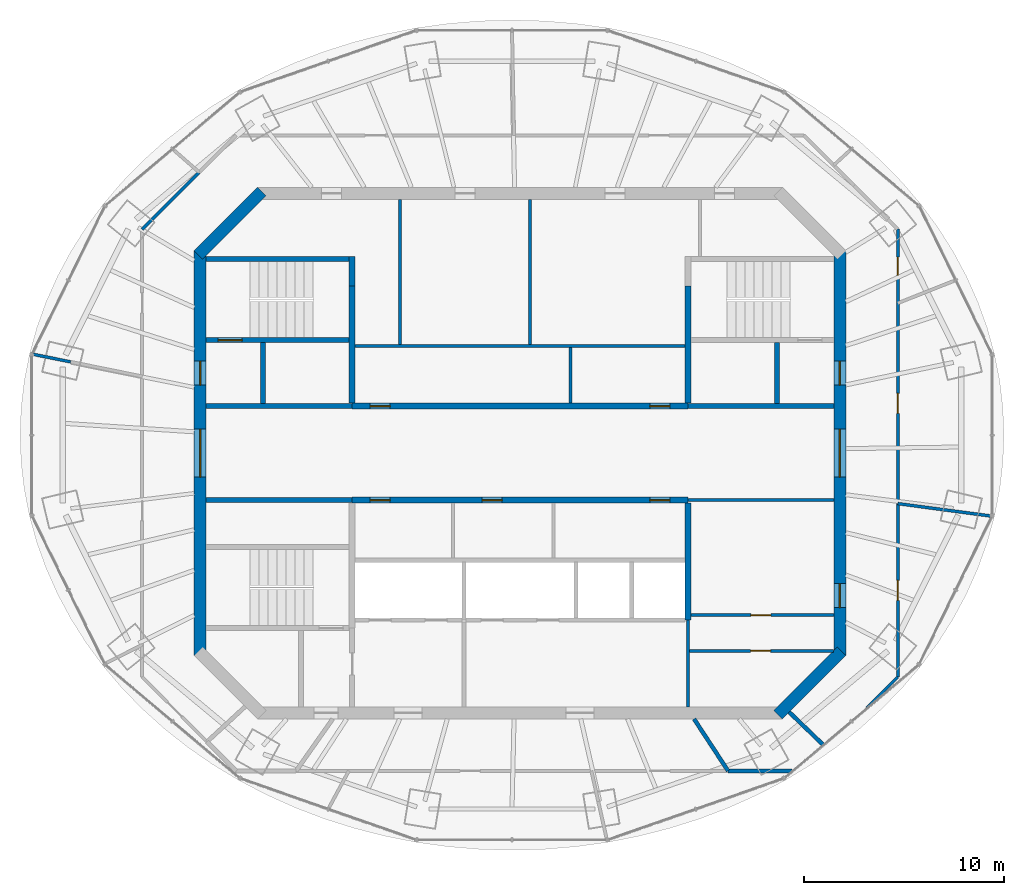
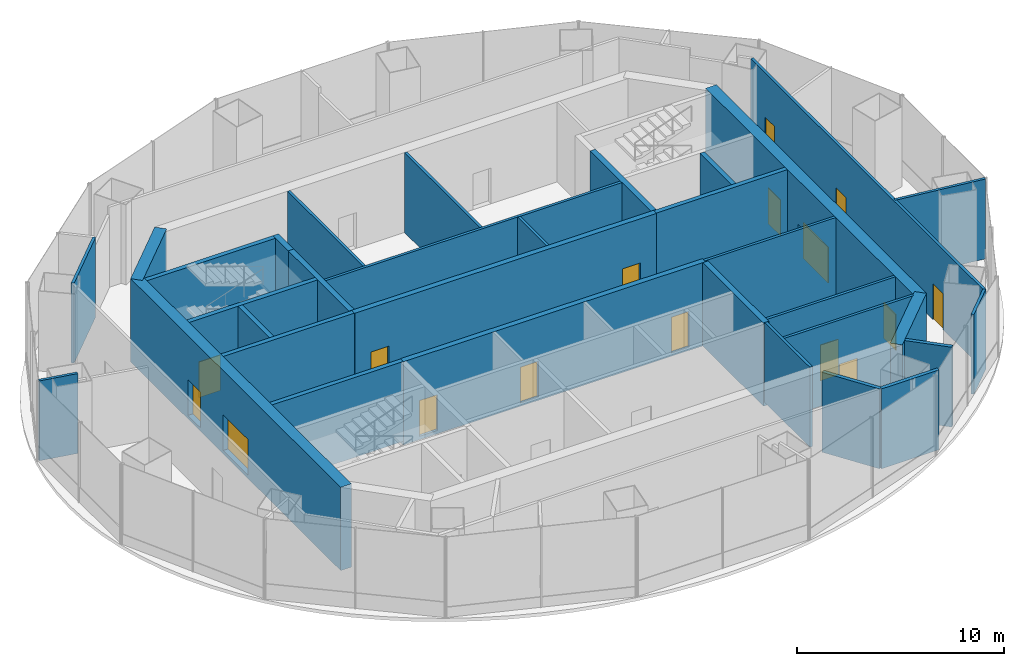
# One storey, part 9 of 11: 33 walls, 16 doors, 16 openings.
"""IFC4 building model written with IfcOpenShell, lengths in metres."""

from ifc_helpers import new_model, si_unit, direction, frame, frame_2d, origin, place, context, subcontext, project, spatial, rectangle, extrude, material, layer, layer_set, type_object, element, fill, save


model = new_model("IFC4")

# Units and contexts
model_context = context("Model", 3, precision=1e-05, world=origin(), true_north=direction((0.0, 1.0)))
body_context = subcontext(model_context, "Body", "Model", "MODEL_VIEW")
ifc_project = project(units=[si_unit("LENGTHUNIT", "METRE"), si_unit("AREAUNIT", "SQUARE_METRE"), si_unit("VOLUMEUNIT", "CUBIC_METRE"), si_unit("PLANEANGLEUNIT", "RADIAN"), si_unit("MASSUNIT", "GRAM", prefix="KILO")], contexts=[model_context])

# Site, building, storey
site_placement = place(None, origin())
site = spatial("IfcSite", under=ifc_project, at=site_placement, CompositionType="ELEMENT")
building_placement = place(site_placement, origin())
building = spatial("IfcBuilding", under=site, at=building_placement, Name="Marenthal Gate Tower", CompositionType="ELEMENT")
storey_placement = place(building_placement, frame((0.0, 0.0, 418.550048828125)))
storey = spatial("IfcBuildingStorey", under=building, at=storey_placement, Name="L94", CompositionType="ELEMENT", Elevation=418.550048828125)

# Wall
ifc_material_1 = material(Name="Concrete 60 MPa", Category="concrete")
ifc_layer_1 = layer(ifc_material_1, 0.60009765625)
ifc_layer_set_1 = layer_set([ifc_layer_1], Name="Core shear wall 600")
wall_type_1 = type_object("IfcWallType", Name="Core shear wall 600", PredefinedType="SHEAR", material=ifc_layer_set_1)
wall_1_placement = place(storey_placement, frame((12.912109375, -13.087890625, -0.199951171875), z_axis=(0.0, 0.0, 1.0), x_axis=(0.707106781187, 0.707106781187, 0.0)))
element("IfcWall", 1, at=wall_1_placement, inside=storey, type_object=wall_type_1, Name="Core wall 01", PredefinedType="SHEAR", context=body_context, shape_type="SweptSolid", body=[
    extrude(rectangle(XDim=4.4912109375, YDim=0.60009765625, at=frame_2d((2.24560546875, 0.0))), origin(), (0.0, 0.0, 1.0), 4.89990234375),
])

# Wall, openings, doors
wall_2_placement = place(storey_placement, frame((16.0, -10.124267578125, -0.199951171875), z_axis=(0.0, 0.0, 1.0), x_axis=(0.0, 1.0, 0.0)))
wall_2 = element("IfcWall", 2, at=wall_2_placement, inside=storey, type_object=wall_type_1, Name="Core wall 02", PredefinedType="SHEAR", context=body_context, shape_type="SweptSolid", body=[
    extrude(rectangle(XDim=20.24853515625, YDim=0.60009765625, at=frame_2d((10.124267578125, 0.0))), origin(), (0.0, 0.0, 1.0), 4.89990234375),
])
opening_1_placement = place(wall_2_placement, frame((8.92431640625, 0.0, 0.199951171875)))
opening_1 = element("IfcOpeningElement", 3, at=opening_1_placement, cuts=wall_2, Name="Opening D003.02", PredefinedType="OPENING", context=body_context, shape_type="SweptSolid", body=[
    extrude(rectangle(XDim=2.39990234375, YDim=2.10009765625, at=frame_2d((1.199951171875, 1.050048828125))), frame((0.0, 0.31005859375, 0.0), z_axis=(0.0, -1.0, 0.0), x_axis=(1.0, 0.0, 0.0)), (0.0, 0.0, 1.0), 0.6201171875),
])
opening_2_placement = place(wall_2_placement, frame((13.5244140625, 0.0, 0.199951171875)))
opening_2 = element("IfcOpeningElement", 4, at=opening_2_placement, cuts=wall_2, Name="Opening D001.05", PredefinedType="OPENING", context=body_context, shape_type="SweptSolid", body=[
    extrude(rectangle(XDim=1.199951171875, YDim=2.10009765625, at=frame_2d((0.60009765625, 1.050048828125))), frame((0.0, 0.31005859375, 0.0), z_axis=(0.0, -1.0, 0.0), x_axis=(1.0, 0.0, 0.0)), (0.0, 0.0, 1.0), 0.6201171875),
])
opening_3_placement = place(wall_2_placement, frame((2.39990234375, 0.0, 0.199951171875)))
opening_3 = element("IfcOpeningElement", 5, at=opening_3_placement, cuts=wall_2, Name="Opening D006.01", PredefinedType="OPENING", context=body_context, shape_type="SweptSolid", body=[
    extrude(rectangle(XDim=1.199951171875, YDim=2.10009765625, at=frame_2d((0.60009765625, 1.050048828125))), frame((0.0, 0.31005859375, 0.0), z_axis=(0.0, -1.0, 0.0), x_axis=(1.0, 0.0, 0.0)), (0.0, 0.0, 1.0), 0.6201171875),
])
ifc_material_2 = material(Name="Steel fire door", Category="steel")
door_type_1 = type_object("IfcDoorType", Name="Double fire door FD 45 2400 x 2100", OperationType="DOUBLE_DOOR_SINGLE_SWING", PredefinedType="DOOR", material=ifc_material_2)
door_1_placement = place(opening_1_placement, origin())
door_1 = element("IfcDoor", 6, at=door_1_placement, inside=storey, type_object=door_type_1, Name="Door D003.02", OperationType="DOUBLE_DOOR_SINGLE_SWING", OverallHeight=2.10009765625, OverallWidth=2.39990234375, PredefinedType="DOOR", context=body_context, shape_type="SweptSolid", body=[
    extrude(rectangle(XDim=2.39990234375, YDim=2.10009765625, at=frame_2d((1.199951171875, 1.050048828125))), frame((0.0, 0.02490234375, 0.0), z_axis=(0.0, -1.0, 0.0), x_axis=(1.0, 0.0, 0.0)), (0.0, 0.0, 1.0), 0.050048828125),
])
fill(opening_1, door_1)
ifc_material_3 = material(Name="Steel fire door", Category="steel")
door_type_2 = type_object("IfcDoorType", Name="Fire door FD 45 1200 x 2100", OperationType="NOTDEFINED", PredefinedType="DOOR", material=ifc_material_3)
door_2_placement = place(opening_3_placement, origin())
door_2 = element("IfcDoor", 7, at=door_2_placement, inside=storey, type_object=door_type_2, Name="Door D006.01", OperationType="SINGLE_SWING_RIGHT", OverallHeight=2.10009765625, OverallWidth=1.199951171875, PredefinedType="DOOR", context=body_context, shape_type="SweptSolid", body=[
    extrude(rectangle(XDim=1.199951171875, YDim=2.10009765625, at=frame_2d((0.60009765625, 1.050048828125))), frame((0.0, 0.02490234375, 0.0), z_axis=(0.0, -1.0, 0.0), x_axis=(1.0, 0.0, 0.0)), (0.0, 0.0, 1.0), 0.050048828125),
])
fill(opening_3, door_2)
ifc_material_4 = material(Name="Steel fire door", Category="steel")
door_type_3 = type_object("IfcDoorType", Name="Fire door FD 90 1200 x 2100", OperationType="NOTDEFINED", PredefinedType="DOOR", material=ifc_material_4)
door_3_placement = place(opening_2_placement, origin())
door_3 = element("IfcDoor", 8, at=door_3_placement, inside=storey, type_object=door_type_3, Name="Door D001.05", OperationType="SINGLE_SWING_RIGHT", OverallHeight=2.10009765625, OverallWidth=1.199951171875, PredefinedType="DOOR", context=body_context, shape_type="SweptSolid", body=[
    extrude(rectangle(XDim=1.199951171875, YDim=2.10009765625, at=frame_2d((0.60009765625, 1.050048828125))), frame((0.0, 0.02490234375, 0.0), z_axis=(0.0, -1.0, 0.0), x_axis=(1.0, 0.0, 0.0)), (0.0, 0.0, 1.0), 0.050048828125),
])
fill(opening_2, door_3)

# Wall
wall_3_placement = place(storey_placement, frame((-12.912109375, 13.087890625, -0.199951171875), z_axis=(0.0, 0.0, 1.0), x_axis=(-0.707106781187, -0.707106781187, 0.0)))
element("IfcWall", 9, at=wall_3_placement, inside=storey, type_object=wall_type_1, Name="Core wall 05", PredefinedType="SHEAR", context=body_context, shape_type="SweptSolid", body=[
    extrude(rectangle(XDim=4.4912109375, YDim=0.60009765625, at=frame_2d((2.24560546875, 0.0))), origin(), (0.0, 0.0, 1.0), 4.89990234375),
])

# Wall, openings, doors
wall_4_placement = place(storey_placement, frame((-16.0, 10.124267578125, -0.199951171875), z_axis=(0.0, 0.0, 1.0), x_axis=(0.0, -1.0, 0.0)))
wall_4 = element("IfcWall", 10, at=wall_4_placement, inside=storey, type_object=wall_type_1, Name="Core wall 06", PredefinedType="SHEAR", context=body_context, shape_type="SweptSolid", body=[
    extrude(rectangle(XDim=20.24853515625, YDim=0.60009765625, at=frame_2d((10.124267578125, 0.0))), origin(), (0.0, 0.0, 1.0), 4.89990234375),
])
opening_4_placement = place(wall_4_placement, frame((8.92431640625, 0.0, 0.199951171875)))
opening_4 = element("IfcOpeningElement", 11, at=opening_4_placement, cuts=wall_4, Name="Opening D003.01", PredefinedType="OPENING", context=body_context, shape_type="SweptSolid", body=[
    extrude(rectangle(XDim=2.39990234375, YDim=2.10009765625, at=frame_2d((1.199951171875, 1.050048828125))), frame((0.0, 0.31005859375, 0.0), z_axis=(0.0, -1.0, 0.0), x_axis=(1.0, 0.0, 0.0)), (0.0, 0.0, 1.0), 0.6201171875),
])
opening_5_placement = place(wall_4_placement, frame((5.5244140625, 0.0, 0.199951171875)))
opening_5 = element("IfcOpeningElement", 12, at=opening_5_placement, cuts=wall_4, Name="Opening D001.04", PredefinedType="OPENING", context=body_context, shape_type="SweptSolid", body=[
    extrude(rectangle(XDim=1.199951171875, YDim=2.10009765625, at=frame_2d((0.60009765625, 1.050048828125))), frame((0.0, 0.31005859375, 0.0), z_axis=(0.0, -1.0, 0.0), x_axis=(1.0, 0.0, 0.0)), (0.0, 0.0, 1.0), 0.6201171875),
])
door_4_placement = place(opening_4_placement, origin())
door_4 = element("IfcDoor", 13, at=door_4_placement, inside=storey, type_object=door_type_1, Name="Door D003.01", OperationType="DOUBLE_DOOR_SINGLE_SWING", OverallHeight=2.10009765625, OverallWidth=2.39990234375, PredefinedType="DOOR", context=body_context, shape_type="SweptSolid", body=[
    extrude(rectangle(XDim=2.39990234375, YDim=2.10009765625, at=frame_2d((1.199951171875, 1.050048828125))), frame((0.0, 0.02490234375, 0.0), z_axis=(0.0, -1.0, 0.0), x_axis=(1.0, 0.0, 0.0)), (0.0, 0.0, 1.0), 0.050048828125),
])
fill(opening_4, door_4)
door_5_placement = place(opening_5_placement, origin())
door_5 = element("IfcDoor", 14, at=door_5_placement, inside=storey, type_object=door_type_3, Name="Door D001.04", OperationType="SINGLE_SWING_RIGHT", OverallHeight=2.10009765625, OverallWidth=1.199951171875, PredefinedType="DOOR", context=body_context, shape_type="SweptSolid", body=[
    extrude(rectangle(XDim=1.199951171875, YDim=2.10009765625, at=frame_2d((0.60009765625, 1.050048828125))), frame((0.0, 0.02490234375, 0.0), z_axis=(0.0, -1.0, 0.0), x_axis=(1.0, 0.0, 0.0)), (0.0, 0.0, 1.0), 0.050048828125),
])
fill(opening_5, door_5)

ifc_material_5 = material(Name="Concrete 50 MPa", Category="concrete")
ifc_layer_2 = layer(ifc_material_5, 0.300048828125)
ifc_layer_set_2 = layer_set([ifc_layer_2], Name="Hoistway shear wall 300")
wall_type_2 = type_object("IfcWallType", Name="Hoistway shear wall 300", PredefinedType="SHEAR", material=ifc_layer_set_2)
wall_5_placement = place(storey_placement, frame((-8.39990234375, -2.35009765625, -0.199951171875), z_axis=(0.0, 0.0, 1.0), x_axis=(1.0, 0.0, 0.0)))
wall_5 = element("IfcWall", 15, at=wall_5_placement, inside=storey, type_object=wall_type_2, Name="Hoistway wall 17", PredefinedType="SHEAR", context=body_context, shape_type="SweptSolid", body=[
    extrude(rectangle(XDim=16.7998046875, YDim=0.300048828125, at=frame_2d((8.39990234375, 0.0))), origin(), (0.0, 0.0, 1.0), 4.89990234375),
])
opening_6_placement = place(wall_5_placement, frame((0.89990234375, 0.0, 0.199951171875)))
opening_6 = element("IfcOpeningElement", 16, at=opening_6_placement, cuts=wall_5, Name="Opening D005.07", PredefinedType="OPENING", context=body_context, shape_type="SweptSolid", body=[
    extrude(rectangle(XDim=1.0, YDim=2.10009765625, at=frame_2d((0.5, 1.050048828125))), frame((0.0, 0.16015625, 0.0), z_axis=(0.0, -1.0, 0.0), x_axis=(1.0, 0.0, 0.0)), (0.0, 0.0, 1.0), 0.320068359375),
])
opening_7_placement = place(wall_5_placement, frame((6.5, 0.0, 0.199951171875)))
opening_7 = element("IfcOpeningElement", 17, at=opening_7_placement, cuts=wall_5, Name="Opening D005.08", PredefinedType="OPENING", context=body_context, shape_type="SweptSolid", body=[
    extrude(rectangle(XDim=1.0, YDim=2.10009765625, at=frame_2d((0.5, 1.050048828125))), frame((0.0, 0.16015625, 0.0), z_axis=(0.0, -1.0, 0.0), x_axis=(1.0, 0.0, 0.0)), (0.0, 0.0, 1.0), 0.320068359375),
])
opening_8_placement = place(wall_5_placement, frame((14.89990234375, 0.0, 0.199951171875)))
opening_8 = element("IfcOpeningElement", 18, at=opening_8_placement, cuts=wall_5, Name="Opening D005.09", PredefinedType="OPENING", context=body_context, shape_type="SweptSolid", body=[
    extrude(rectangle(XDim=1.0, YDim=2.10009765625, at=frame_2d((0.5, 1.050048828125))), frame((0.0, 0.16015625, 0.0), z_axis=(0.0, -1.0, 0.0), x_axis=(1.0, 0.0, 0.0)), (0.0, 0.0, 1.0), 0.320068359375),
])
ifc_material_6 = material(Name="Steel fire door", Category="steel")
door_type_4 = type_object("IfcDoorType", Name="Fire door FD 45 1000 x 2100", OperationType="NOTDEFINED", PredefinedType="DOOR", material=ifc_material_6)
door_6_placement = place(opening_6_placement, frame((1.0, 0.0, 0.0), z_axis=(0.0, 0.0, 1.0), x_axis=(-1.0, 0.0, 0.0)))
door_6 = element("IfcDoor", 19, at=door_6_placement, inside=storey, type_object=door_type_4, Name="Door D005.07", OperationType="SINGLE_SWING_LEFT", OverallHeight=2.10009765625, OverallWidth=1.0, PredefinedType="DOOR", context=body_context, shape_type="SweptSolid", body=[
    extrude(rectangle(XDim=1.0, YDim=2.10009765625, at=frame_2d((0.5, 1.050048828125))), frame((0.0, 0.02490234375, 0.0), z_axis=(0.0, -1.0, 0.0), x_axis=(1.0, 0.0, 0.0)), (0.0, 0.0, 1.0), 0.050048828125),
])
fill(opening_6, door_6)
door_7_placement = place(opening_7_placement, frame((1.0, 0.0, 0.0), z_axis=(0.0, 0.0, 1.0), x_axis=(-1.0, 0.0, 0.0)))
door_7 = element("IfcDoor", 20, at=door_7_placement, inside=storey, type_object=door_type_4, Name="Door D005.08", OperationType="SINGLE_SWING_LEFT", OverallHeight=2.10009765625, OverallWidth=1.0, PredefinedType="DOOR", context=body_context, shape_type="SweptSolid", body=[
    extrude(rectangle(XDim=1.0, YDim=2.10009765625, at=frame_2d((0.5, 1.050048828125))), frame((0.0, 0.02490234375, 0.0), z_axis=(0.0, -1.0, 0.0), x_axis=(1.0, 0.0, 0.0)), (0.0, 0.0, 1.0), 0.050048828125),
])
fill(opening_7, door_7)
door_8_placement = place(opening_8_placement, frame((1.0, 0.0, 0.0), z_axis=(0.0, 0.0, 1.0), x_axis=(-1.0, 0.0, 0.0)))
door_8 = element("IfcDoor", 21, at=door_8_placement, inside=storey, type_object=door_type_4, Name="Door D005.09", OperationType="SINGLE_SWING_LEFT", OverallHeight=2.10009765625, OverallWidth=1.0, PredefinedType="DOOR", context=body_context, shape_type="SweptSolid", body=[
    extrude(rectangle(XDim=1.0, YDim=2.10009765625, at=frame_2d((0.5, 1.050048828125))), frame((0.0, 0.02490234375, 0.0), z_axis=(0.0, -1.0, 0.0), x_axis=(1.0, 0.0, 0.0)), (0.0, 0.0, 1.0), 0.050048828125),
])
fill(opening_8, door_8)

wall_6_placement = place(storey_placement, frame((-8.39990234375, 2.35009765625, -0.199951171875), z_axis=(0.0, 0.0, 1.0), x_axis=(1.0, 0.0, 0.0)))
wall_6 = element("IfcWall", 22, at=wall_6_placement, inside=storey, type_object=wall_type_2, Name="Hoistway wall 20", PredefinedType="SHEAR", context=body_context, shape_type="SweptSolid", body=[
    extrude(rectangle(XDim=16.7998046875, YDim=0.300048828125, at=frame_2d((8.39990234375, 0.0))), origin(), (0.0, 0.0, 1.0), 4.89990234375),
])
opening_9_placement = place(wall_6_placement, frame((0.89990234375, 0.0, 0.199951171875)))
opening_9 = element("IfcOpeningElement", 23, at=opening_9_placement, cuts=wall_6, Name="Opening D005.01", PredefinedType="OPENING", context=body_context, shape_type="SweptSolid", body=[
    extrude(rectangle(XDim=1.0, YDim=2.10009765625, at=frame_2d((0.5, 1.050048828125))), frame((0.0, 0.16015625, 0.0), z_axis=(0.0, -1.0, 0.0), x_axis=(1.0, 0.0, 0.0)), (0.0, 0.0, 1.0), 0.320068359375),
])
opening_10_placement = place(wall_6_placement, frame((14.89990234375, 0.0, 0.199951171875)))
opening_10 = element("IfcOpeningElement", 24, at=opening_10_placement, cuts=wall_6, Name="Opening D005.02", PredefinedType="OPENING", context=body_context, shape_type="SweptSolid", body=[
    extrude(rectangle(XDim=1.0, YDim=2.10009765625, at=frame_2d((0.5, 1.050048828125))), frame((0.0, 0.16015625, 0.0), z_axis=(0.0, -1.0, 0.0), x_axis=(1.0, 0.0, 0.0)), (0.0, 0.0, 1.0), 0.320068359375),
])
door_9_placement = place(opening_9_placement, origin())
door_9 = element("IfcDoor", 25, at=door_9_placement, inside=storey, type_object=door_type_4, Name="Door D005.01", OperationType="SINGLE_SWING_RIGHT", OverallHeight=2.10009765625, OverallWidth=1.0, PredefinedType="DOOR", context=body_context, shape_type="SweptSolid", body=[
    extrude(rectangle(XDim=1.0, YDim=2.10009765625, at=frame_2d((0.5, 1.050048828125))), frame((0.0, 0.02490234375, 0.0), z_axis=(0.0, -1.0, 0.0), x_axis=(1.0, 0.0, 0.0)), (0.0, 0.0, 1.0), 0.050048828125),
])
fill(opening_9, door_9)
door_10_placement = place(opening_10_placement, origin())
door_10 = element("IfcDoor", 26, at=door_10_placement, inside=storey, type_object=door_type_4, Name="Door D005.02", OperationType="SINGLE_SWING_RIGHT", OverallHeight=2.10009765625, OverallWidth=1.0, PredefinedType="DOOR", context=body_context, shape_type="SweptSolid", body=[
    extrude(rectangle(XDim=1.0, YDim=2.10009765625, at=frame_2d((0.5, 1.050048828125))), frame((0.0, 0.02490234375, 0.0), z_axis=(0.0, -1.0, 0.0), x_axis=(1.0, 0.0, 0.0)), (0.0, 0.0, 1.0), 0.050048828125),
])
fill(opening_10, door_10)

# Walls
for number, where, z_axis, x_axis, name in (
    (27, (-8.39990234375, 2.5, -0.199951171875), (0.0, 0.0, 1.0), (0.0, 1.0, 0.0), "Hoistway wall 31"),
    (28, (8.39990234375, -8.35009765625, -0.199951171875), (0.0, 0.0, 1.0), (0.0, 1.0, 0.0), "Hoistway wall 43"),
    (29, (8.39990234375, 2.5, -0.199951171875), (0.0, 0.0, 1.0), (0.0, 1.0, 0.0), "Hoistway wall 44"),
):
    element("IfcWall", number, at=place(storey_placement, frame(where, z_axis=z_axis, x_axis=x_axis)), inside=storey, type_object=wall_type_2, Name=name, PredefinedType="SHEAR", context=body_context, shape_type="SweptSolid", body=[
        extrude(rectangle(XDim=5.85009765625, YDim=0.300048828125, at=frame_2d((2.925048828125, 0.0))), origin(), (0.0, 0.0, 1.0), 4.89990234375),
    ])

# Wall, opening, door
ifc_material_7 = material(Name="Gypsum board on steel studs", Category="steel")
ifc_layer_3 = layer(ifc_material_7, 0.14990234375)
ifc_layer_set_3 = layer_set([ifc_layer_3], Name="Partition 150")
wall_type_3 = type_object("IfcWallType", Name="Partition 150", PredefinedType="PARTITIONING", material=ifc_layer_set_3)
wall_7_placement = place(storey_placement, frame((8.47509765625, -9.89990234375, 0.0), z_axis=(0.0, 0.0, 1.0), x_axis=(1.0, 0.0, 0.0)))
wall_7 = element("IfcWall", 30, at=wall_7_placement, inside=storey, type_object=wall_type_3, Name="Partition wall 09", PredefinedType="PARTITIONING", context=body_context, shape_type="SweptSolid", body=[
    extrude(rectangle(XDim=7.20068359375, YDim=0.14990234375, at=frame_2d((3.600341796875, 0.0))), origin(), (0.0, 0.0, 1.0), 4.699951171875),
])
opening_11_placement = place(wall_7_placement, frame((3.062744140625, 0.0, 0.0)))
opening_11 = element("IfcOpeningElement", 31, at=opening_11_placement, cuts=wall_7, Name="Opening D005.11", PredefinedType="OPENING", context=body_context, shape_type="SweptSolid", body=[
    extrude(rectangle(XDim=1.0, YDim=2.10009765625, at=frame_2d((0.5, 1.050048828125))), frame((0.0, 0.0849609375, 0.0), z_axis=(0.0, -1.0, 0.0), x_axis=(1.0, 0.0, 0.0)), (0.0, 0.0, 1.0), 0.169921875),
])
door_11_placement = place(opening_11_placement, frame((1.0, 0.0, 0.0), z_axis=(0.0, 0.0, 1.0), x_axis=(-1.0, 0.0, 0.0)))
door_11 = element("IfcDoor", 32, at=door_11_placement, inside=storey, type_object=door_type_4, Name="Door D005.11", OperationType="SINGLE_SWING_LEFT", OverallHeight=2.10009765625, OverallWidth=1.0, PredefinedType="DOOR", context=body_context, shape_type="SweptSolid", body=[
    extrude(rectangle(XDim=1.0, YDim=2.10009765625, at=frame_2d((0.5, 1.050048828125))), frame((0.0, 0.02490234375, 0.0), z_axis=(0.0, -1.0, 0.0), x_axis=(1.0, 0.0, 0.0)), (0.0, 0.0, 1.0), 0.050048828125),
])
fill(opening_11, door_11)

wall_8_placement = place(storey_placement, frame((8.550048828125, -8.10009765625, 0.0), z_axis=(0.0, 0.0, 1.0), x_axis=(1.0, 0.0, 0.0)))
wall_8 = element("IfcWall", 33, at=wall_8_placement, inside=storey, type_object=wall_type_3, Name="Partition wall 13", PredefinedType="PARTITIONING", context=body_context, shape_type="SweptSolid", body=[
    extrude(rectangle(XDim=7.14990234375, YDim=0.14990234375, at=frame_2d((3.574951171875, 0.0))), origin(), (0.0, 0.0, 1.0), 4.699951171875),
])
opening_12_placement = place(wall_8_placement, frame((3.0, 0.0, 0.0)))
opening_12 = element("IfcOpeningElement", 34, at=opening_12_placement, cuts=wall_8, Name="Opening D005.10", PredefinedType="OPENING", context=body_context, shape_type="SweptSolid", body=[
    extrude(rectangle(XDim=1.0, YDim=2.10009765625, at=frame_2d((0.5, 1.050048828125))), frame((0.0, 0.0849609375, 0.0), z_axis=(0.0, -1.0, 0.0), x_axis=(1.0, 0.0, 0.0)), (0.0, 0.0, 1.0), 0.169921875),
])
door_12_placement = place(opening_12_placement, origin())
door_12 = element("IfcDoor", 35, at=door_12_placement, inside=storey, type_object=door_type_4, Name="Door D005.10", OperationType="SINGLE_SWING_RIGHT", OverallHeight=2.10009765625, OverallWidth=1.0, PredefinedType="DOOR", context=body_context, shape_type="SweptSolid", body=[
    extrude(rectangle(XDim=1.0, YDim=2.10009765625, at=frame_2d((0.5, 1.050048828125))), frame((0.0, 0.02490234375, 0.0), z_axis=(0.0, -1.0, 0.0), x_axis=(1.0, 0.0, 0.0)), (0.0, 0.0, 1.0), 0.050048828125),
])
fill(opening_12, door_12)

# Walls
wall_9_placement = place(storey_placement, frame((8.39990234375, -2.35009765625, 0.0), z_axis=(0.0, 0.0, 1.0), x_axis=(1.0, 0.0, 0.0)))
element("IfcWall", 36, at=wall_9_placement, inside=storey, type_object=wall_type_3, Name="Partition wall 18", PredefinedType="PARTITIONING", context=body_context, shape_type="SweptSolid", body=[
    extrude(rectangle(XDim=7.300048828125, YDim=0.14990234375, at=frame_2d((3.64990234375, 0.0))), origin(), (0.0, 0.0, 1.0), 4.699951171875),
])
wall_10_placement = place(storey_placement, frame((-8.25, 5.35009765625, 0.0), z_axis=(0.0, 0.0, 1.0), x_axis=(1.0, 0.0, 0.0)))
element("IfcWall", 37, at=wall_10_placement, inside=storey, type_object=wall_type_3, Name="Partition wall 22", PredefinedType="PARTITIONING", context=body_context, shape_type="SweptSolid", body=[
    extrude(rectangle(XDim=16.5, YDim=0.14990234375, at=frame_2d((8.25, 0.0))), origin(), (0.0, 0.0, 1.0), 4.699951171875),
])
for number, where, z_axis, x_axis, name in (
    (38, (-6.0, 5.425048828125, 0.0), (0.0, 0.0, 1.0), (0.0, 1.0, 0.0), "Partition wall 33"),
    (39, (0.5, 5.425048828125, 0.0), (0.0, 0.0, 1.0), (0.0, 1.0, 0.0), "Partition wall 37"),
):
    element("IfcWall", number, at=place(storey_placement, frame(where, z_axis=z_axis, x_axis=x_axis)), inside=storey, type_object=wall_type_3, Name=name, PredefinedType="PARTITIONING", context=body_context, shape_type="SweptSolid", body=[
        extrude(rectangle(XDim=7.27490234375, YDim=0.14990234375, at=frame_2d((3.637451171875, 0.0))), origin(), (0.0, 0.0, 1.0), 4.699951171875),
    ])
wall_11_placement = place(storey_placement, frame((2.52001953125, 2.5, 0.0), z_axis=(0.0, 0.0, 1.0), x_axis=(0.0, 1.0, 0.0)))
element("IfcWall", 40, at=wall_11_placement, inside=storey, type_object=wall_type_3, Name="Partition wall 39", PredefinedType="PARTITIONING", context=body_context, shape_type="SweptSolid", body=[
    extrude(rectangle(XDim=2.77490234375, YDim=0.14990234375, at=frame_2d((1.387451171875, 0.0))), origin(), (0.0, 0.0, 1.0), 4.699951171875),
])
wall_12_placement = place(storey_placement, frame((8.39990234375, -12.699951171875, 0.0), z_axis=(0.0, 0.0, 1.0), x_axis=(0.0, 1.0, 0.0)))
element("IfcWall", 41, at=wall_12_placement, inside=storey, type_object=wall_type_3, Name="Partition wall 42", PredefinedType="PARTITIONING", context=body_context, shape_type="SweptSolid", body=[
    extrude(rectangle(XDim=4.349853515625, YDim=0.14990234375, at=frame_2d((2.1748046875, 0.0))), origin(), (0.0, 0.0, 1.0), 4.699951171875),
])
wall_13_placement = place(storey_placement, frame((17.3466796875, -12.754638671875, 0.0), z_axis=(0.0, 0.0, 1.0), x_axis=(0.707106781187, 0.707106781187, 0.0)))
element("IfcWall", 42, at=wall_13_placement, inside=storey, type_object=wall_type_3, Name="Partition wall 53", PredefinedType="PARTITIONING", context=body_context, shape_type="SweptSolid", body=[
    extrude(rectangle(XDim=2.196533203125, YDim=0.14990234375, at=frame_2d((1.09814453125, 0.0))), origin(), (0.0, 0.0, 1.0), 4.699951171875),
])
wall_14_placement = place(storey_placement, frame((-18.89990234375, 11.201416015625, 0.0), z_axis=(0.0, 0.0, 1.0), x_axis=(0.707106781187, 0.707106781187, 0.0)))
element("IfcWall", 43, at=wall_14_placement, inside=storey, type_object=wall_type_3, Name="Partition wall 54", PredefinedType="PARTITIONING", context=body_context, shape_type="SweptSolid", body=[
    extrude(rectangle(XDim=3.998291015625, YDim=0.14990234375, at=frame_2d((1.9990234375, 0.0))), origin(), (0.0, 0.0, 1.0), 4.699951171875),
])

# Wall, openings, doors
wall_15_placement = place(storey_placement, frame((18.89990234375, -11.201416015625, 0.0), z_axis=(0.0, 0.0, 1.0), x_axis=(0.0, 1.0, 0.0)))
wall_15 = element("IfcWall", 44, at=wall_15_placement, inside=storey, type_object=wall_type_3, Name="Partition wall 56", PredefinedType="PARTITIONING", context=body_context, shape_type="SweptSolid", body=[
    extrude(rectangle(XDim=22.40283203125, YDim=0.14990234375, at=frame_2d((11.201416015625, 0.0))), origin(), (0.0, 0.0, 1.0), 4.699951171875),
])
opening_13_placement = place(wall_15_placement, frame((3.837890625, 0.0, 0.0)))
opening_13 = element("IfcOpeningElement", 45, at=opening_13_placement, cuts=wall_15, Name="Opening D005.19", PredefinedType="OPENING", context=body_context, shape_type="SweptSolid", body=[
    extrude(rectangle(XDim=1.0, YDim=2.10009765625, at=frame_2d((0.5, 1.050048828125))), frame((0.0, 0.0849609375, 0.0), z_axis=(0.0, -1.0, 0.0), x_axis=(1.0, 0.0, 0.0)), (0.0, 0.0, 1.0), 0.169921875),
])
opening_14_placement = place(wall_15_placement, frame((13.18896484375, 0.0, 0.0)))
opening_14 = element("IfcOpeningElement", 46, at=opening_14_placement, cuts=wall_15, Name="Opening D005.20", PredefinedType="OPENING", context=body_context, shape_type="SweptSolid", body=[
    extrude(rectangle(XDim=1.0, YDim=2.10009765625, at=frame_2d((0.5, 1.050048828125))), frame((0.0, 0.0849609375, 0.0), z_axis=(0.0, -1.0, 0.0), x_axis=(1.0, 0.0, 0.0)), (0.0, 0.0, 1.0), 0.169921875),
])
opening_15_placement = place(wall_15_placement, frame((20.102294921875, 0.0, 0.0)))
opening_15 = element("IfcOpeningElement", 47, at=opening_15_placement, cuts=wall_15, Name="Opening D010.01", PredefinedType="OPENING", context=body_context, shape_type="SweptSolid", body=[
    extrude(rectangle(XDim=0.89990234375, YDim=2.10009765625, at=frame_2d((0.449951171875, 1.050048828125))), frame((0.0, 0.0849609375, 0.0), z_axis=(0.0, -1.0, 0.0), x_axis=(1.0, 0.0, 0.0)), (0.0, 0.0, 1.0), 0.169921875),
])
door_13_placement = place(opening_13_placement, frame((1.0, 0.0, 0.0), z_axis=(0.0, 0.0, 1.0), x_axis=(-1.0, 0.0, 0.0)))
door_13 = element("IfcDoor", 48, at=door_13_placement, inside=storey, type_object=door_type_4, Name="Door D005.19", OperationType="SINGLE_SWING_LEFT", OverallHeight=2.10009765625, OverallWidth=1.0, PredefinedType="DOOR", context=body_context, shape_type="SweptSolid", body=[
    extrude(rectangle(XDim=1.0, YDim=2.10009765625, at=frame_2d((0.5, 1.050048828125))), frame((0.0, 0.02490234375, 0.0), z_axis=(0.0, -1.0, 0.0), x_axis=(1.0, 0.0, 0.0)), (0.0, 0.0, 1.0), 0.050048828125),
])
fill(opening_13, door_13)
door_14_placement = place(opening_14_placement, frame((1.0, 0.0, 0.0), z_axis=(0.0, 0.0, 1.0), x_axis=(-1.0, 0.0, 0.0)))
door_14 = element("IfcDoor", 49, at=door_14_placement, inside=storey, type_object=door_type_4, Name="Door D005.20", OperationType="SINGLE_SWING_LEFT", OverallHeight=2.10009765625, OverallWidth=1.0, PredefinedType="DOOR", context=body_context, shape_type="SweptSolid", body=[
    extrude(rectangle(XDim=1.0, YDim=2.10009765625, at=frame_2d((0.5, 1.050048828125))), frame((0.0, 0.02490234375, 0.0), z_axis=(0.0, -1.0, 0.0), x_axis=(1.0, 0.0, 0.0)), (0.0, 0.0, 1.0), 0.050048828125),
])
fill(opening_14, door_14)
ifc_material_8 = material(Name="Steel fire door", Category="steel")
door_type_5 = type_object("IfcDoorType", Name="Fire door FD 45 900 x 2100", OperationType="NOTDEFINED", PredefinedType="DOOR", material=ifc_material_8)
door_15_placement = place(opening_15_placement, frame((0.89990234375, 0.0, 0.0), z_axis=(0.0, 0.0, 1.0), x_axis=(-1.0, 0.0, 0.0)))
door_15 = element("IfcDoor", 50, at=door_15_placement, inside=storey, type_object=door_type_5, Name="Door D010.01", OperationType="SINGLE_SWING_LEFT", OverallHeight=2.10009765625, OverallWidth=0.89990234375, PredefinedType="DOOR", context=body_context, shape_type="SweptSolid", body=[
    extrude(rectangle(XDim=0.89990234375, YDim=2.10009765625, at=frame_2d((0.449951171875, 1.050048828125))), frame((0.0, 0.02490234375, 0.0), z_axis=(0.0, -1.0, 0.0), x_axis=(1.0, 0.0, 0.0)), (0.0, 0.0, 1.0), 0.050048828125),
])
fill(opening_15, door_15)

# Walls
wall_16_placement = place(storey_placement, frame((-22.477783203125, 4.56298828125, 0.0), z_axis=(0.0, 0.0, 1.0), x_axis=(-0.980028469709, 0.198857231602, 0.0)))
element("IfcWall", 51, at=wall_16_placement, inside=storey, type_object=wall_type_3, Name="Partition wall 77", PredefinedType="PARTITIONING", context=body_context, shape_type="SweptSolid", body=[
    extrude(rectangle(XDim=1.9521484375, YDim=0.14990234375, at=frame_2d((0.97607421875, 0.0))), origin(), (0.0, 0.0, 1.0), 4.699951171875),
])
wall_17_placement = place(storey_placement, frame((23.590087890625, -3.152587890625, 0.0), z_axis=(0.0, 0.0, 1.0), x_axis=(-0.991190460291, 0.13244422006, 0.0)))
element("IfcWall", 52, at=wall_17_placement, inside=storey, type_object=wall_type_3, Name="Partition wall 64", PredefinedType="PARTITIONING", context=body_context, shape_type="SweptSolid", body=[
    extrude(rectangle(XDim=4.73193359375, YDim=0.14990234375, at=frame_2d((2.365966796875, 0.0))), origin(), (0.0, 0.0, 1.0), 4.699951171875),
])
ifc_material_9 = material(Name="Gypsum board on steel studs", Category="steel")
ifc_layer_4 = layer(ifc_material_9, 0.199951171875)
ifc_layer_set_4 = layer_set([ifc_layer_4], Name="Partition 200")
wall_type_4 = type_object("IfcWallType", Name="Partition 200", PredefinedType="PARTITIONING", material=ifc_layer_set_4)
wall_18_placement = place(storey_placement, frame((10.40771484375, -15.89990234375, 0.0), z_axis=(0.0, 0.0, 1.0), x_axis=(1.0, 0.0, 0.0)))
element("IfcWall", 53, at=wall_18_placement, inside=storey, type_object=wall_type_4, Name="Partition wall 66", PredefinedType="PARTITIONING", context=body_context, shape_type="SweptSolid", body=[
    extrude(rectangle(XDim=3.207763671875, YDim=0.199951171875, at=frame_2d((1.60400390625, 0.0))), origin(), (0.0, 0.0, 1.0), 4.699951171875),
])
wall_19_placement = place(storey_placement, frame((10.4111328125, -15.89990234375, 0.0), z_axis=(0.0, 0.0, 1.0), x_axis=(-0.547810161897, 0.836602669445, 0.0)))
element("IfcWall", 54, at=wall_19_placement, inside=storey, type_object=wall_type_4, Name="Partition wall 69", PredefinedType="PARTITIONING", context=body_context, shape_type="SweptSolid", body=[
    extrude(rectangle(XDim=3.107666015625, YDim=0.199951171875, at=frame_2d((1.5537109375, 0.0))), origin(), (0.0, 0.0, 1.0), 4.699951171875),
])
wall_20_placement = place(storey_placement, frame((15.167236328125, -14.591796875, 0.0), z_axis=(0.0, 0.0, 1.0), x_axis=(-0.720588348466, 0.69336313145, 0.0)))
element("IfcWall", 55, at=wall_20_placement, inside=storey, type_object=wall_type_4, Name="Partition wall 71", PredefinedType="PARTITIONING", context=body_context, shape_type="SweptSolid", body=[
    extrude(rectangle(XDim=2.3583984375, YDim=0.199951171875, at=frame_2d((1.17919921875, 0.0))), origin(), (0.0, 0.0, 1.0), 4.699951171875),
])
ifc_material_10 = material(Name="Concrete 40 MPa", Category="concrete")
ifc_layer_5 = layer(ifc_material_10, 0.25)
ifc_layer_set_5 = layer_set([ifc_layer_5], Name="Stair enclosure wall 250")
wall_type_5 = type_object("IfcWallType", Name="Stair enclosure wall 250", PredefinedType="STANDARD", material=ifc_layer_set_5)
for number, where, z_axis, x_axis, name in (
    (56, (-15.699951171875, -2.35009765625, 0.0), (0.0, 0.0, 1.0), (1.0, 0.0, 0.0), "Stair wall 16"),
    (57, (-15.699951171875, 2.35009765625, 0.0), (0.0, 0.0, 1.0), (1.0, 0.0, 0.0), "Stair wall 19"),
    (58, (8.39990234375, 2.35009765625, 0.0), (0.0, 0.0, 1.0), (1.0, 0.0, 0.0), "Stair wall 21"),
):
    element("IfcWall", number, at=place(storey_placement, frame(where, z_axis=z_axis, x_axis=x_axis)), inside=storey, type_object=wall_type_5, Name=name, PredefinedType="STANDARD", context=body_context, shape_type="SweptSolid", body=[
        extrude(rectangle(XDim=7.300048828125, YDim=0.25, at=frame_2d((3.64990234375, 0.0))), origin(), (0.0, 0.0, 1.0), 4.699951171875),
    ])
for number, where, z_axis, x_axis, name in (
    (59, (-12.85009765625, 2.47509765625, 0.0), (0.0, 0.0, 1.0), (0.0, 1.0, 0.0), "Stair wall 27"),
    (60, (12.85009765625, 2.47509765625, 0.0), (0.0, 0.0, 1.0), (0.0, 1.0, 0.0), "Stair wall 47"),
):
    element("IfcWall", number, at=place(storey_placement, frame(where, z_axis=z_axis, x_axis=x_axis)), inside=storey, type_object=wall_type_5, Name=name, PredefinedType="STANDARD", context=body_context, shape_type="SweptSolid", body=[
        extrude(rectangle(XDim=3.0498046875, YDim=0.25, at=frame_2d((1.52490234375, 0.0))), origin(), (0.0, 0.0, 1.0), 4.699951171875),
    ])

# Wall, opening, door
ifc_material_11 = material(Name="Concrete 50 MPa", Category="concrete")
ifc_layer_6 = layer(ifc_material_11, 0.25)
ifc_layer_set_6 = layer_set([ifc_layer_6], Name="Stair shear wall 250")
wall_type_6 = type_object("IfcWallType", Name="Stair shear wall 250", PredefinedType="SHEAR", material=ifc_layer_set_6)
wall_21_placement = place(storey_placement, frame((-15.699951171875, 5.64990234375, -0.199951171875), z_axis=(0.0, 0.0, 1.0), x_axis=(1.0, 0.0, 0.0)))
wall_21 = element("IfcWall", 61, at=wall_21_placement, inside=storey, type_object=wall_type_6, Name="Stair wall 23", PredefinedType="SHEAR", context=body_context, shape_type="SweptSolid", body=[
    extrude(rectangle(XDim=7.14990234375, YDim=0.25, at=frame_2d((3.574951171875, 0.0))), origin(), (0.0, 0.0, 1.0), 4.89990234375),
])
opening_16_placement = place(wall_21_placement, frame((0.60009765625, 0.0, 0.199951171875)))
opening_16 = element("IfcOpeningElement", 62, at=opening_16_placement, cuts=wall_21, Name="Opening D001.01", PredefinedType="OPENING", context=body_context, shape_type="SweptSolid", body=[
    extrude(rectangle(XDim=1.199951171875, YDim=2.10009765625, at=frame_2d((0.60009765625, 1.050048828125))), frame((0.0, 0.135009765625, 0.0), z_axis=(0.0, -1.0, 0.0), x_axis=(1.0, 0.0, 0.0)), (0.0, 0.0, 1.0), 0.27001953125),
])
door_16_placement = place(opening_16_placement, origin())
door_16 = element("IfcDoor", 63, at=door_16_placement, inside=storey, type_object=door_type_3, Name="Door D001.01", OperationType="SINGLE_SWING_RIGHT", OverallHeight=2.10009765625, OverallWidth=1.199951171875, PredefinedType="DOOR", context=body_context, shape_type="SweptSolid", body=[
    extrude(rectangle(XDim=1.199951171875, YDim=2.10009765625, at=frame_2d((0.60009765625, 1.050048828125))), frame((0.0, 0.02490234375, 0.0), z_axis=(0.0, -1.0, 0.0), x_axis=(1.0, 0.0, 0.0)), (0.0, 0.0, 1.0), 0.050048828125),
])
fill(opening_16, door_16)

# Walls
wall_22_placement = place(storey_placement, frame((-15.699951171875, 9.699951171875, -0.199951171875), z_axis=(0.0, 0.0, 1.0), x_axis=(1.0, 0.0, 0.0)))
element("IfcWall", 64, at=wall_22_placement, inside=storey, type_object=wall_type_6, Name="Stair wall 25", PredefinedType="SHEAR", context=body_context, shape_type="SweptSolid", body=[
    extrude(rectangle(XDim=7.14990234375, YDim=0.25, at=frame_2d((3.574951171875, 0.0))), origin(), (0.0, 0.0, 1.0), 4.89990234375),
])
ifc_material_12 = material(Name="Concrete 50 MPa", Category="concrete")
ifc_layer_7 = layer(ifc_material_12, 0.300048828125)
ifc_layer_set_7 = layer_set([ifc_layer_7], Name="Stair shear wall 300")
wall_type_7 = type_object("IfcWallType", Name="Stair shear wall 300", PredefinedType="SHEAR", material=ifc_layer_set_7)
wall_23_placement = place(storey_placement, frame((-8.39990234375, 8.35009765625, -0.199951171875), z_axis=(0.0, 0.0, 1.0), x_axis=(0.0, 1.0, 0.0)))
element("IfcWall", 65, at=wall_23_placement, inside=storey, type_object=wall_type_7, Name="Stair wall 32", PredefinedType="SHEAR", context=body_context, shape_type="SweptSolid", body=[
    extrude(rectangle(XDim=1.474853515625, YDim=0.300048828125, at=frame_2d((0.7373046875, 0.0))), origin(), (0.0, 0.0, 1.0), 4.89990234375),
])

save(model, "model.ifc")
